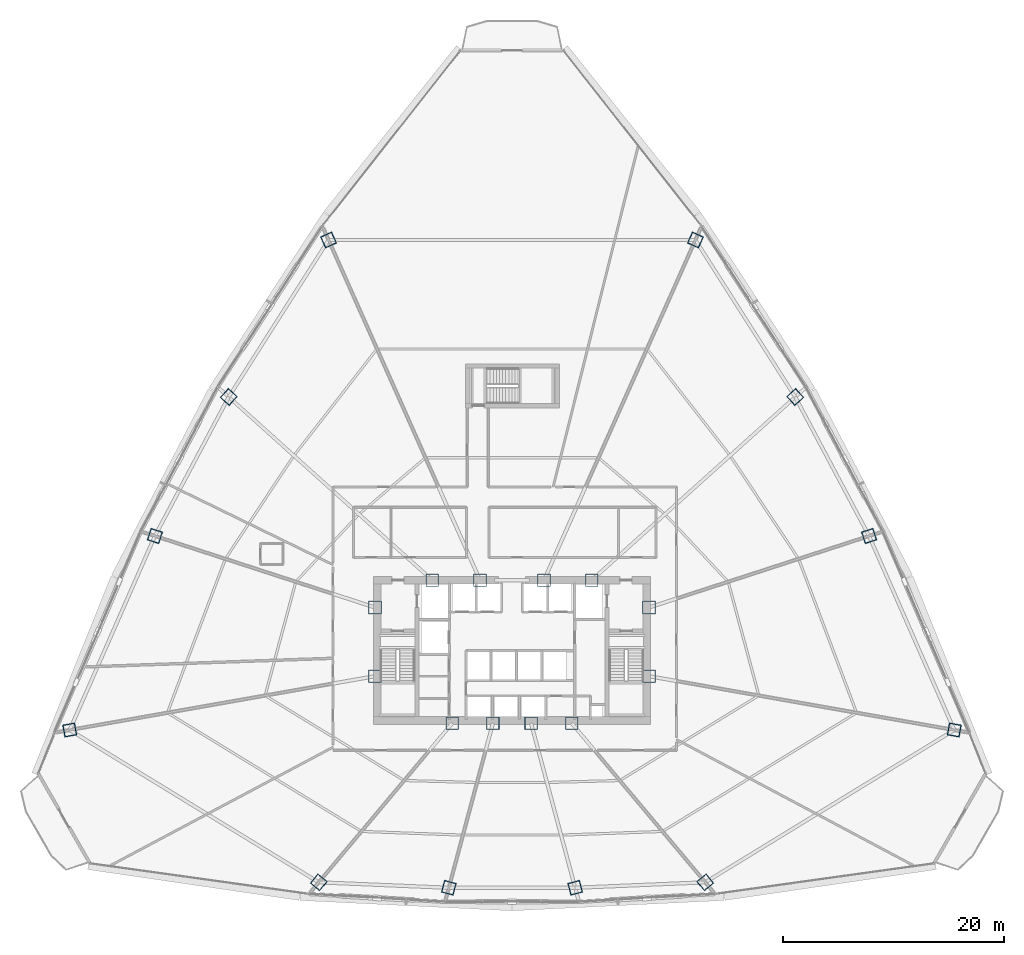
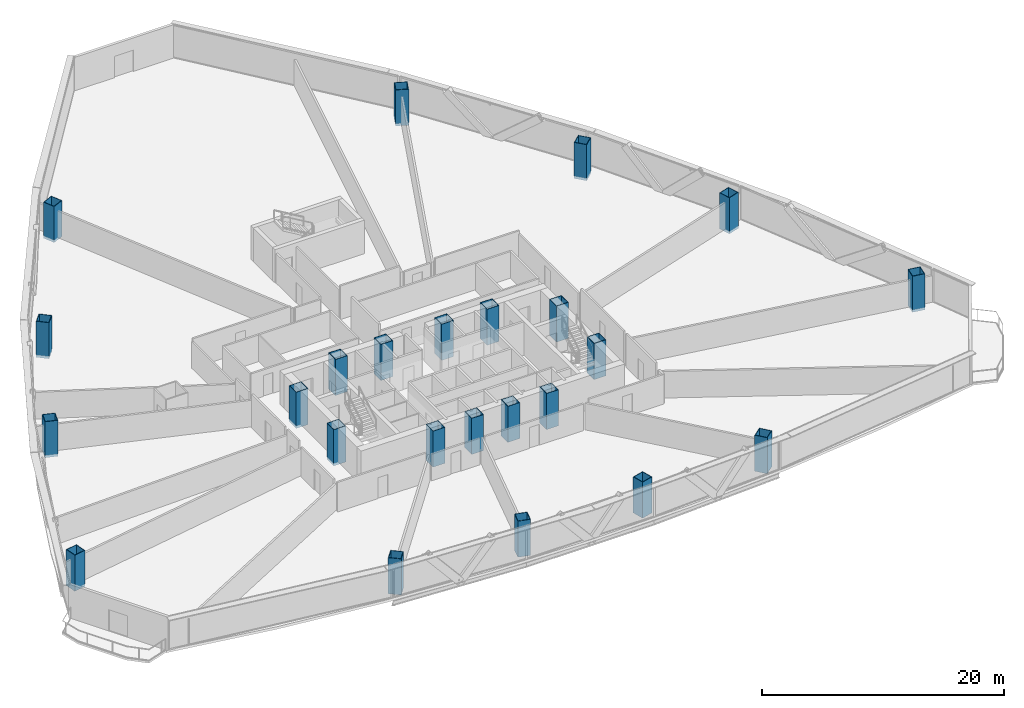
# One storey, part 1 of 37: 24 columns.
"""IFC4 building model written with IfcOpenShell, lengths in metres."""

from ifc_helpers import new_model, si_unit, direction, frame, origin, origin_2d, place, context, subcontext, project, spatial, hollow_rectangle, extrude, source, transform, mapped, material, material_profile, profile_set, type_object, element, save


model = new_model("IFC4")

# Units and contexts
model_context = context("Model", 3, precision=1e-05, world=origin(), true_north=direction((0.0, 1.0)))
body_context = subcontext(model_context, "Body", "Model", "MODEL_VIEW")
ifc_project = project(units=[si_unit("LENGTHUNIT", "METRE"), si_unit("AREAUNIT", "SQUARE_METRE"), si_unit("VOLUMEUNIT", "CUBIC_METRE"), si_unit("PLANEANGLEUNIT", "RADIAN"), si_unit("MASSUNIT", "GRAM", prefix="KILO"), si_unit("THERMODYNAMICTEMPERATUREUNIT", "KELVIN"), si_unit("POWERUNIT", "WATT")], contexts=[model_context])

# Site, building, storey
site_placement = place(None, origin())
site = spatial("IfcSite", under=ifc_project, at=site_placement, CompositionType="ELEMENT")
building_placement = place(site_placement, origin())
building = spatial("IfcBuilding", under=site, at=building_placement, Name="Yunzhuo Pagoda Commons", CompositionType="ELEMENT")
storey_placement = place(building_placement, frame((0.0, 0.0, 55.81005859375)))
storey = spatial("IfcBuildingStorey", under=building, at=storey_placement, Name="L14", CompositionType="ELEMENT", Elevation=55.81005859375)

# Columns
ifc_material = material(Name="Structural steel Q420B", Category="steel")
ifc_material_profile_1 = material_profile(ifc_material, hollow_rectangle(XDim=1.14990234375, YDim=1.14990234375, WallThickness=0.048095703125, at=origin_2d()), Name="Structural steel Q420B")
ifc_profile_set_1 = profile_set([ifc_material_profile_1], Name="Structural steel Q420B")
column_type_1 = type_object("IfcColumnType", Name="C-COR Column BOX 1150x1150x48", PredefinedType="COLUMN", material=ifc_profile_set_1)
shared_shape_1 = source(origin(), body_context, "Body", "SweptSolid", [
    extrude(hollow_rectangle(XDim=1.14990234375, YDim=1.14990234375, WallThickness=0.048095703125, at=origin_2d()), origin(), (0.0, 0.0, 1.0), 3.6298828125),
])
for number, where, z_axis, x_axis, name in (
    (1, (42.587890625, 27.25, -0.260009765625), (0.0, 0.0, 1.0), (1.0, 0.0, 0.0), "L14 core composite column F1C1"),
    (2, (46.27197265625, 27.25, -0.260009765625), (0.0, 0.0, 1.0), (1.0, 0.0, 0.0), "L14 core composite column F1C2"),
    (3, (49.728515625, 27.25, -0.260009765625), (0.0, 0.0, 1.0), (1.0, 0.0, 0.0), "L14 core composite column F1C3"),
    (4, (53.412109375, 27.25, -0.260009765625), (0.0, 0.0, 1.0), (1.0, 0.0, 0.0), "L14 core composite column F1C4"),
    (5, (60.39990234375, 31.513427734375, -0.260009765625), (0.0, 0.0, 1.0), (1.0, 0.0, 0.0), "L14 core composite column F2C1"),
    (6, (60.39990234375, 37.72900390625, -0.260009765625), (0.0, 0.0, 1.0), (1.0, 0.0, 0.0), "L14 core composite column F2C2"),
    (7, (55.218994140625, 40.199951171875, -0.260009765625), (0.0, 0.0, 1.0), (1.0, 0.0, 0.0), "L14 core composite column F2C3"),
    (8, (50.89404296875, 40.199951171875, -0.260009765625), (0.0, 0.0, 1.0), (1.0, 0.0, 0.0), "L14 core composite column F2C4"),
    (9, (45.10595703125, 40.199951171875, -0.260009765625), (0.0, 0.0, 1.0), (1.0, 0.0, 0.0), "L14 core composite column F3C1"),
    (10, (40.781005859375, 40.199951171875, -0.260009765625), (0.0, 0.0, 1.0), (1.0, 0.0, 0.0), "L14 core composite column F3C2"),
    (11, (35.60009765625, 37.72900390625, -0.260009765625), (0.0, 0.0, 1.0), (1.0, 0.0, 0.0), "L14 core composite column F3C3"),
    (12, (35.60009765625, 31.513427734375, -0.260009765625), (0.0, 0.0, 1.0), (1.0, 0.0, 0.0), "L14 core composite column F3C4"),
):
    element("IfcColumn", number, at=place(storey_placement, frame(where, z_axis=z_axis, x_axis=x_axis)), inside=storey, type_object=column_type_1, Name=name, PredefinedType="COLUMN", context=body_context, shape_type="MappedRepresentation", body=[
        mapped(shared_shape_1, transform((0.0, 0.0, 0.0), scale=1.0)),
    ])
ifc_material_profile_2 = material_profile(ifc_material, hollow_rectangle(XDim=1.10009765625, YDim=1.10009765625, WallThickness=0.044921875, at=origin_2d()), Name="Structural steel Q420B")
ifc_profile_set_2 = profile_set([ifc_material_profile_2], Name="Structural steel Q420B")
column_type_2 = type_object("IfcColumnType", Name="C-Z1 Column BOX 1100x1100x45", PredefinedType="COLUMN", material=ifc_profile_set_2)
shared_shape_2 = source(origin(), body_context, "Body", "SweptSolid", [
    extrude(hollow_rectangle(XDim=1.10009765625, YDim=1.10009765625, WallThickness=0.044921875, at=origin_2d()), origin(), (0.0, 0.0, 1.0), 3.6298828125),
])
for number, where, z_axis, x_axis, name in (
    (13, (30.5, 12.844482421875, -0.260009765625), (0.0, 0.0, 1.0), (0.766044443119, -0.642787609687, 0.0), "L14 tower column F1C1"),
    (14, (42.27978515625, 12.35205078125, -0.260009765625), (0.0, 0.0, 1.0), (0.965925826289, -0.258819045103, 0.0), "L14 tower column F1C2"),
    (15, (53.72021484375, 12.35205078125, -0.260009765625), (0.0, 0.0, 1.0), (0.965925826289, 0.258819045103, 0.0), "L14 tower column F1C3"),
    (16, (65.5, 12.844482421875, -0.260009765625), (0.0, 0.0, 1.0), (0.766044443119, 0.642787609687, 0.0), "L14 tower column F1C4"),
    (17, (88.047607421875, 26.638427734375, -0.260009765625), (0.0, 0.0, 1.0), (0.173648177667, 0.984807753012, 0.0), "L14 tower column F2C1"),
    (18, (80.33544921875, 44.206298828125, -0.260009765625), (0.0, 0.0, 1.0), (-0.309016994375, 0.951056516295, 0.0), "L14 tower column F2C2"),
    (19, (73.648681640625, 56.79443359375, -0.260009765625), (0.0, 0.0, 1.0), (-0.669130606359, 0.743144825477, 0.0), "L14 tower column F2C3"),
    (20, (64.61083984375, 71.008544921875, -0.260009765625), (0.0, 0.0, 1.0), (-0.913545457643, 0.406736643076, 0.0), "L14 tower column F2C4"),
    (21, (31.38916015625, 71.008544921875, -0.260009765625), (0.0, 0.0, 1.0), (-0.913545457643, -0.406736643076, 0.0), "L14 tower column F3C1"),
    (22, (22.351318359375, 56.79443359375, -0.260009765625), (0.0, 0.0, 1.0), (-0.669130606359, -0.743144825477, 0.0), "L14 tower column F3C2"),
    (23, (15.66455078125, 44.206298828125, -0.260009765625), (0.0, 0.0, 1.0), (-0.309016994375, -0.951056516295, 0.0), "L14 tower column F3C3"),
    (24, (7.952392578125, 26.638427734375, -0.260009765625), (0.0, 0.0, 1.0), (0.173648177667, -0.984807753012, 0.0), "L14 tower column F3C4"),
):
    element("IfcColumn", number, at=place(storey_placement, frame(where, z_axis=z_axis, x_axis=x_axis)), inside=storey, type_object=column_type_2, Name=name, PredefinedType="COLUMN", context=body_context, shape_type="MappedRepresentation", body=[
        mapped(shared_shape_2, transform((0.0, 0.0, 0.0), scale=1.0)),
    ])

save(model, "model.ifc")
